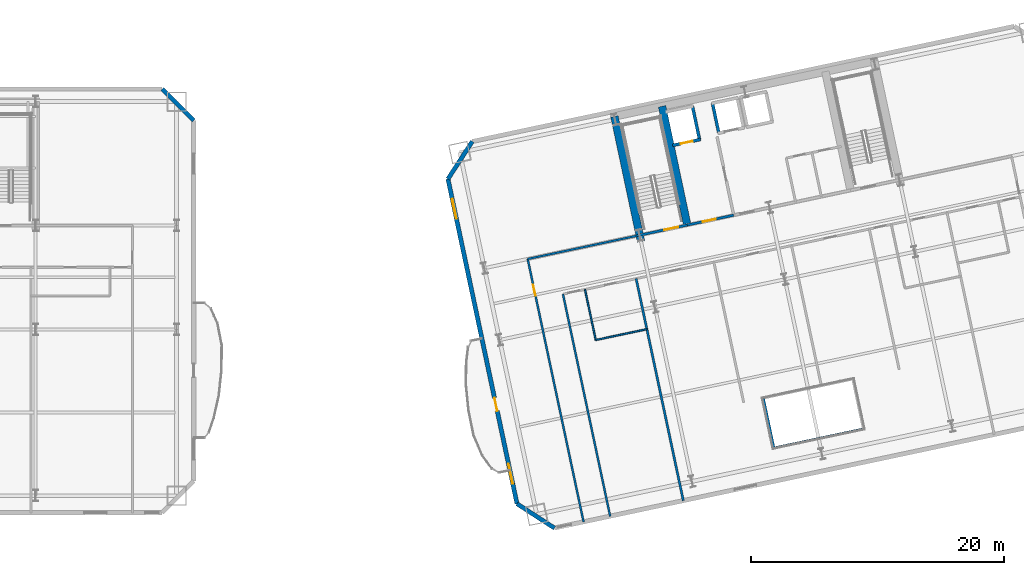
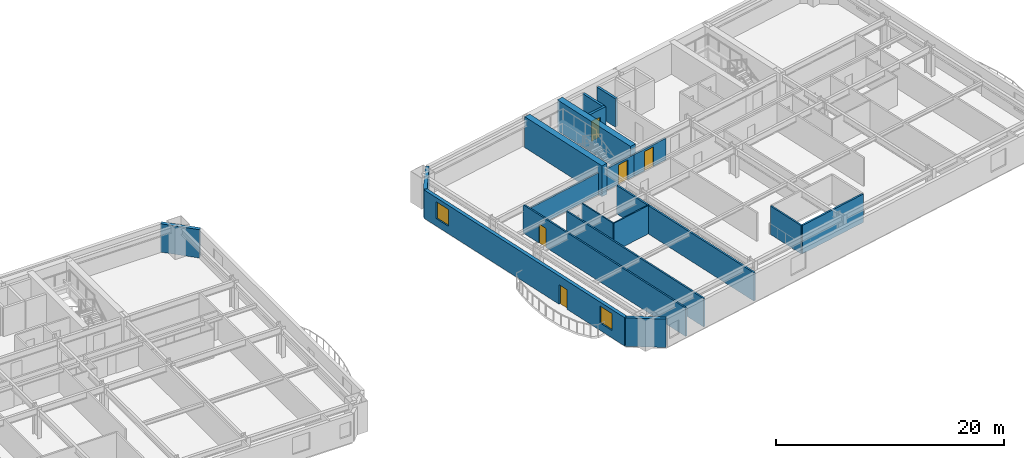
# One storey, part 7 of 16: 19 walls, 5 doors, 2 windows, 7 openings.
"""IFC4 building model written with IfcOpenShell, lengths in metres."""

from ifc_helpers import new_model, si_unit, direction, frame, frame_2d, origin, place, context, subcontext, project, spatial, rectangle, extrude, material, layer, layer_set, type_object, element, fill, save


model = new_model("IFC4")

# Units and contexts
model_context = context("Model", 3, precision=1e-05, world=origin(), true_north=direction((0.0, 1.0)))
body_context = subcontext(model_context, "Body", "Model", "MODEL_VIEW")
ifc_project = project(units=[si_unit("LENGTHUNIT", "METRE"), si_unit("AREAUNIT", "SQUARE_METRE"), si_unit("VOLUMEUNIT", "CUBIC_METRE"), si_unit("PLANEANGLEUNIT", "RADIAN"), si_unit("MASSUNIT", "GRAM", prefix="KILO")], contexts=[model_context])

# Site, building, storey
site_placement = place(None, origin())
site = spatial("IfcSite", under=ifc_project, at=site_placement, CompositionType="ELEMENT")
building_placement = place(site_placement, origin())
building = spatial("IfcBuilding", under=site, at=building_placement, Name="Haevon Station Towers", CompositionType="ELEMENT")
storey_placement = place(building_placement, frame((0.0, 0.0, 53.699951171875)))
storey = spatial("IfcBuildingStorey", under=building, at=storey_placement, Name="L13", CompositionType="ELEMENT", Elevation=53.699951171875)

# Walls
ifc_material_1 = material(Name="Gypsum board on steel stud", Category="steel")
ifc_layer_1 = layer(ifc_material_1, 0.179931640625)
ifc_layer_set_1 = layer_set([ifc_layer_1], Name="Gypsum board on steel stud")
wall_type_1 = type_object("IfcWallType", Name="WL-ACU180", PredefinedType="PARTITIONING", material=ifc_layer_set_1)
wall_1_placement = place(storey_placement, frame((109.379150390625, 20.634521484375, 0.0), z_axis=(0.0, 0.0, 1.0), x_axis=(0.978144974276, 0.207924046946, 0.0)))
element("IfcWall", 1, at=wall_1_placement, inside=storey, type_object=wall_type_1, Name="WL-T2PT-L13-06", PredefinedType="PARTITIONING", context=body_context, shape_type="SweptSolid", body=[
    extrude(rectangle(XDim=7.2001953125, YDim=0.179931640625, at=frame_2d((3.60009765625, 0.0))), origin(), (0.0, 0.0, 1.0), 3.030029296875),
])
wall_2_placement = place(storey_placement, frame((102.2041015625, 16.451416015625, 0.0), z_axis=(0.0, 0.0, 1.0), x_axis=(-0.207908857961, 0.978148202872, 0.0)))
element("IfcWall", 2, at=wall_2_placement, inside=storey, type_object=wall_type_1, Name="WL-T2PT-L13-12", PredefinedType="PARTITIONING", context=body_context, shape_type="SweptSolid", body=[
    extrude(rectangle(XDim=17.949951171875, YDim=0.179931640625, at=frame_2d((8.97509765625, 0.0))), origin(), (0.0, 0.0, 1.0), 3.030029296875),
])

# Wall, opening, door
ifc_layer_2 = layer(ifc_material_1, 0.199951171875)
ifc_layer_set_2 = layer_set([ifc_layer_2], Name="Gypsum board on steel stud")
wall_type_2 = type_object("IfcWallType", Name="WL-COR200", PredefinedType="PARTITIONING", material=ifc_layer_set_2)
wall_3_placement = place(storey_placement, frame((98.75244140625, 37.4423828125, 0.0), z_axis=(0.0, 0.0, 1.0), x_axis=(0.978143537786, 0.207930804564, 0.0)))
wall_3 = element("IfcWall", 3, at=wall_3_placement, inside=storey, type_object=wall_type_2, Name="WL-ST-ST3-L13", PredefinedType="PARTITIONING", context=body_context, shape_type="SweptSolid", body=[
    extrude(rectangle(XDim=3.85009765625, YDim=0.199951171875, at=frame_2d((1.925048828125, 0.0))), origin(), (0.0, 0.0, 1.0), 2.330078125),
])
opening_1_placement = place(wall_3_placement, frame((2.0, 0.0, 0.0)))
opening_1 = element("IfcOpeningElement", 4, at=opening_1_placement, cuts=wall_3, Name="Opening DR-ST-ST3-L13", PredefinedType="OPENING", context=body_context, shape_type="SweptSolid", body=[
    extrude(rectangle(XDim=1.1201171875, YDim=2.10009765625, at=frame_2d((0.56005859375, 1.050048828125))), frame((0.0, 0.10986328125, 0.0), z_axis=(0.0, -1.0, 0.0), x_axis=(1.0, 0.0, 0.0)), (0.0, 0.0, 1.0), 0.219970703125),
])
ifc_material_2 = material(Name="Engineered oak timber", Category="wood")
door_type_1 = type_object("IfcDoorType", Name="DR-ST-1120", OperationType="NOTDEFINED", PredefinedType="DOOR", material=ifc_material_2)
door_1_placement = place(opening_1_placement, origin())
door_1 = element("IfcDoor", 5, at=door_1_placement, inside=storey, type_object=door_type_1, Name="L13 Escape Stair ST3 Fire Door", OperationType="SINGLE_SWING_RIGHT", OverallHeight=2.10009765625, OverallWidth=1.1201171875, PredefinedType="DOOR", context=body_context, shape_type="SweptSolid", body=[
    extrude(rectangle(XDim=1.1201171875, YDim=2.10009765625, at=frame_2d((0.56005859375, 1.050048828125))), frame((0.0, 0.02490234375, 0.0), z_axis=(0.0, -1.0, 0.0), x_axis=(1.0, 0.0, 0.0)), (0.0, 0.0, 1.0), 0.050048828125),
])
fill(opening_1, door_1)

wall_4_placement = place(storey_placement, frame((102.518310546875, 38.242919921875, 0.0), z_axis=(0.0, 0.0, 1.0), x_axis=(0.978153555683, 0.20788367301, 0.0)))
wall_4 = element("IfcWall", 6, at=wall_4_placement, inside=storey, type_object=wall_type_2, Name="WL-T2FFL-L13-S", PredefinedType="PARTITIONING", context=body_context, shape_type="SweptSolid", body=[
    extrude(rectangle(XDim=3.75, YDim=0.199951171875, at=frame_2d((1.875, 0.0))), origin(), (0.0, 0.0, 1.0), 2.330078125),
])
opening_2_placement = place(wall_4_placement, frame((1.25, 0.0, 0.0)))
opening_2 = element("IfcOpeningElement", 7, at=opening_2_placement, cuts=wall_4, Name="Opening DR-T2FFL-L13-S", PredefinedType="OPENING", context=body_context, shape_type="SweptSolid", body=[
    extrude(rectangle(XDim=1.050048828125, YDim=2.10009765625, at=frame_2d((0.52490234375, 1.050048828125))), frame((0.0, 0.10986328125, 0.0), z_axis=(0.0, -1.0, 0.0), x_axis=(1.0, 0.0, 0.0)), (0.0, 0.0, 1.0), 0.219970703125),
])
door_type_2 = type_object("IfcDoorType", Name="DR-FD60-1050", OperationType="NOTDEFINED", PredefinedType="DOOR", material=ifc_material_2)
door_2_placement = place(opening_2_placement, origin())
door_2 = element("IfcDoor", 8, at=door_2_placement, inside=storey, type_object=door_type_2, Name="L13 Tower 2 Firefighting Lift Lobby Door S", OperationType="SINGLE_SWING_LEFT", OverallHeight=2.10009765625, OverallWidth=1.050048828125, PredefinedType="DOOR", context=body_context, shape_type="SweptSolid", body=[
    extrude(rectangle(XDim=1.050048828125, YDim=2.10009765625, at=frame_2d((0.52490234375, 1.050048828125))), frame((0.0, 0.02490234375, 0.0), z_axis=(0.0, -1.0, 0.0), x_axis=(1.0, 0.0, 0.0)), (0.0, 0.0, 1.0), 0.050048828125),
])
fill(opening_2, door_2)

# Walls
ifc_material_3 = material(Name="Concrete C60/75", Category="concrete")
ifc_layer_3 = layer(ifc_material_3, 0.60009765625)
ifc_layer_set_3 = layer_set([ifc_layer_3], Name="Concrete C60/75")
wall_type_3 = type_object("IfcWallType", Name="WL-CR600", PredefinedType="SHEAR", material=ifc_layer_set_3)
wall_5_placement = place(storey_placement, frame((98.8603515625, 36.933837890625, 0.0), z_axis=(0.0, 0.0, 1.0), x_axis=(-0.20790924889, 0.978148119778, 0.0)))
element("IfcWall", 9, at=wall_5_placement, inside=storey, type_object=wall_type_3, Name="WL-T2CR-L13-W", PredefinedType="SHEAR", context=body_context, shape_type="SweptSolid", body=[
    extrude(rectangle(XDim=10.119873046875, YDim=0.60009765625, at=frame_2d((5.06005859375, 0.0))), origin(), (0.0, 0.0, 1.0), 3.300048828125),
])
wall_6_placement = place(storey_placement, frame((102.518310546875, 38.242919921875, 0.0), z_axis=(0.0, 0.0, 1.0), x_axis=(-0.207927495108, 0.978144241295, 0.0)))
element("IfcWall", 10, at=wall_6_placement, inside=storey, type_object=wall_type_3, Name="WL-T2CR-L13-M1", PredefinedType="SHEAR", context=body_context, shape_type="SweptSolid", body=[
    extrude(rectangle(XDim=9.599853515625, YDim=0.60009765625, at=frame_2d((4.7998046875, 0.0))), origin(), (0.0, 0.0, 1.0), 3.300048828125),
])
ifc_material_4 = material(Name="Precast concrete C45/55", Category="concrete")
ifc_layer_4 = layer(ifc_material_4, 0.340087890625)
ifc_layer_set_4 = layer_set([ifc_layer_4], Name="Precast concrete C45/55")
wall_type_4 = type_object("IfcWallType", Name="WL-EXT-PIER340", PredefinedType="SOLIDWALL", material=ifc_layer_set_4)
wall_7_placement = place(storey_placement, frame((61.0, 49.0, 0.0), z_axis=(0.0, 0.0, 1.0), x_axis=(0.707106781187, -0.707106781187, 0.0)))
element("IfcWall", 11, at=wall_7_placement, inside=storey, type_object=wall_type_4, Name="WL-T1-L13-NEC", PredefinedType="SOLIDWALL", context=body_context, shape_type="SweptSolid", body=[
    extrude(rectangle(XDim=3.53564453125, YDim=0.340087890625, at=frame_2d((1.767822265625, 0.0))), origin(), (0.0, 0.0, 1.0), 3.030029296875),
])
wall_8_placement = place(storey_placement, frame((92.01953125, 14.28662109375, 0.0), z_axis=(0.0, 0.0, 1.0), x_axis=(-0.838672309694, 0.544636352948, 0.0)))
element("IfcWall", 12, at=wall_8_placement, inside=storey, type_object=wall_type_4, Name="WL-T2-L13-SWC", PredefinedType="SOLIDWALL", context=body_context, shape_type="SweptSolid", body=[
    extrude(rectangle(XDim=3.535400390625, YDim=0.340087890625, at=frame_2d((1.767578125, 0.0))), origin(), (0.0, 0.0, 1.0), 3.030029296875),
])

# Wall, openings, door, windows
wall_9_placement = place(storey_placement, frame((89.054443359375, 16.212158203125, 0.0), z_axis=(0.0, 0.0, 1.0), x_axis=(-0.207915485254, 0.978146794194, 0.0)))
wall_9 = element("IfcWall", 13, at=wall_9_placement, inside=storey, type_object=wall_type_4, Name="WL-T2-L13-W", PredefinedType="SOLIDWALL", context=body_context, shape_type="SweptSolid", body=[
    extrude(rectangle(XDim=26.25, YDim=0.340087890625, at=frame_2d((13.125, 0.0))), origin(), (0.0, 0.0, 1.0), 3.030029296875),
])
opening_3_placement = place(wall_9_placement, frame((7.5, 0.0, 0.0)))
opening_3 = element("IfcOpeningElement", 14, at=opening_3_placement, cuts=wall_9, Name="Opening DR-T2-SCAL-L13-W", PredefinedType="OPENING", context=body_context, shape_type="SweptSolid", body=[
    extrude(rectangle(XDim=1.050048828125, YDim=2.10009765625, at=frame_2d((0.52490234375, 1.050048828125))), frame((0.0, 0.179931640625, 0.0), z_axis=(0.0, -1.0, 0.0), x_axis=(1.0, 0.0, 0.0)), (0.0, 0.0, 1.0), 0.360107421875),
])
opening_4_placement = place(wall_9_placement, frame((1.623291015625, 0.0, 0.800048828125)))
opening_4 = element("IfcOpeningElement", 15, at=opening_4_placement, cuts=wall_9, Name="Opening WN-END160", PredefinedType="OPENING", context=body_context, shape_type="SweptSolid", body=[
    extrude(rectangle(XDim=1.60009765625, YDim=1.800048828125, at=frame_2d((0.800048828125, 0.89990234375))), frame((0.0, 0.179931640625, 0.0), z_axis=(0.0, -1.0, 0.0), x_axis=(1.0, 0.0, 0.0)), (0.0, 0.0, 1.0), 0.360107421875),
])
opening_5_placement = place(wall_9_placement, frame((23.02685546875, 0.0, 0.800048828125)))
opening_5 = element("IfcOpeningElement", 16, at=opening_5_placement, cuts=wall_9, Name="Opening WN-END160", PredefinedType="OPENING", context=body_context, shape_type="SweptSolid", body=[
    extrude(rectangle(XDim=1.60009765625, YDim=1.800048828125, at=frame_2d((0.800048828125, 0.89990234375))), frame((0.0, 0.179931640625, 0.0), z_axis=(0.0, -1.0, 0.0), x_axis=(1.0, 0.0, 0.0)), (0.0, 0.0, 1.0), 0.360107421875),
])
ifc_material_5 = material(Name="Thermally broken anodised aluminium and laminated safety glass", Category="aluminium")
door_type_3 = type_object("IfcDoorType", Name="DR-BALC-1050", OperationType="NOTDEFINED", PredefinedType="DOOR", material=ifc_material_5)
door_3_placement = place(opening_3_placement, origin())
door_3 = element("IfcDoor", 17, at=door_3_placement, inside=storey, type_object=door_type_3, Name="Tower 2 L13 West Scalloped Balcony Door", OperationType="SINGLE_SWING_RIGHT", OverallHeight=2.10009765625, OverallWidth=1.050048828125, PredefinedType="DOOR", context=body_context, shape_type="SweptSolid", body=[
    extrude(rectangle(XDim=1.050048828125, YDim=2.10009765625, at=frame_2d((0.52490234375, 1.050048828125))), frame((0.0, 0.02490234375, 0.0), z_axis=(0.0, -1.0, 0.0), x_axis=(1.0, 0.0, 0.0)), (0.0, 0.0, 1.0), 0.050048828125),
])
fill(opening_3, door_3)
ifc_material_6 = material(Name="Low-E triple glazing in thermally broken aluminium", Category="aluminium")
window_type = type_object("IfcWindowType", Name="WN-END160", PartitioningType="SINGLE_PANEL", PredefinedType="WINDOW", material=ifc_material_6)
window_1_placement = place(opening_4_placement, origin())
window_1 = element("IfcWindow", 18, at=window_1_placement, inside=storey, type_object=window_type, Name="WN-T2-L13-W01", OverallHeight=1.800048828125, OverallWidth=1.60009765625, PartitioningType="SINGLE_PANEL", PredefinedType="WINDOW", context=body_context, shape_type="SweptSolid", body=[
    extrude(rectangle(XDim=1.60009765625, YDim=1.800048828125, at=frame_2d((0.800048828125, 0.89990234375))), frame((0.0, 0.030029296875, 0.0), z_axis=(0.0, -1.0, 0.0), x_axis=(1.0, 0.0, 0.0)), (0.0, 0.0, 1.0), 0.06005859375),
])
fill(opening_4, window_1)
window_2_placement = place(opening_5_placement, origin())
window_2 = element("IfcWindow", 19, at=window_2_placement, inside=storey, type_object=window_type, Name="WN-T2-L13-W02", OverallHeight=1.800048828125, OverallWidth=1.60009765625, PartitioningType="SINGLE_PANEL", PredefinedType="WINDOW", context=body_context, shape_type="SweptSolid", body=[
    extrude(rectangle(XDim=1.60009765625, YDim=1.800048828125, at=frame_2d((0.800048828125, 0.89990234375))), frame((0.0, 0.030029296875, 0.0), z_axis=(0.0, -1.0, 0.0), x_axis=(1.0, 0.0, 0.0)), (0.0, 0.0, 1.0), 0.06005859375),
])
fill(opening_5, window_2)

# Walls
wall_10_placement = place(storey_placement, frame((83.5966796875, 41.888427734375, 0.0), z_axis=(0.0, 0.0, 1.0), x_axis=(0.544653380146, 0.838661251934, 0.0)))
element("IfcWall", 20, at=wall_10_placement, inside=storey, type_object=wall_type_4, Name="WL-T2-L13-NWC", PredefinedType="SOLIDWALL", context=body_context, shape_type="SweptSolid", body=[
    extrude(rectangle(XDim=3.535888671875, YDim=0.340087890625, at=frame_2d((1.76806640625, 0.0))), origin(), (0.0, 0.0, 1.0), 3.030029296875),
])
ifc_layer_5 = layer(ifc_material_1, 0.125)
ifc_layer_set_5 = layer_set([ifc_layer_5], Name="Gypsum board on steel stud")
wall_type_5 = type_object("IfcWallType", Name="WL-PRT125", PredefinedType="PARTITIONING", material=ifc_layer_set_5)
wall_11_placement = place(storey_placement, frame((95.27978515625, 29.15380859375, 0.0), z_axis=(0.0, 0.0, 1.0), x_axis=(0.978146085238, 0.207918820535, 0.0)))
element("IfcWall", 21, at=wall_11_placement, inside=storey, type_object=wall_type_5, Name="WL-T2PT-L13-10", PredefinedType="PARTITIONING", context=body_context, shape_type="SweptSolid", body=[
    extrude(rectangle(XDim=4.132080078125, YDim=0.125, at=frame_2d((2.06591796875, 0.0))), origin(), (0.0, 0.0, 1.0), 3.030029296875),
])
wall_12_placement = place(storey_placement, frame((95.27978515625, 29.15380859375, 0.0), z_axis=(0.0, 0.0, 1.0), x_axis=(-0.207904497916, 0.978149129605, 0.0)))
element("IfcWall", 22, at=wall_12_placement, inside=storey, type_object=wall_type_5, Name="WL-T2PT-L13-11", PredefinedType="PARTITIONING", context=body_context, shape_type="SweptSolid", body=[
    extrude(rectangle(XDim=4.08544921875, YDim=0.125, at=frame_2d((2.042724609375, 0.0))), origin(), (0.0, 0.0, 1.0), 3.030029296875),
])
ifc_layer_6 = layer(ifc_material_1, 0.159912109375)
ifc_layer_set_6 = layer_set([ifc_layer_6], Name="Gypsum board on steel stud")
wall_type_6 = type_object("IfcWallType", Name="WL-PRT160", PredefinedType="PARTITIONING", material=ifc_layer_set_6)
wall_13_placement = place(storey_placement, frame((96.421142578125, 15.22216796875, 0.0), z_axis=(0.0, 0.0, 1.0), x_axis=(-0.207906091967, 0.978148790789, 0.0)))
element("IfcWall", 23, at=wall_13_placement, inside=storey, type_object=wall_type_6, Name="WL-T2PT-L13-01", PredefinedType="PARTITIONING", context=body_context, shape_type="SweptSolid", body=[
    extrude(rectangle(XDim=17.9501953125, YDim=0.159912109375, at=frame_2d((8.97509765625, 0.0))), origin(), (0.0, 0.0, 1.0), 3.030029296875),
])
wall_14_placement = place(storey_placement, frame((89.900146484375, 35.560791015625, 0.0), z_axis=(0.0, 0.0, 1.0), x_axis=(0.978148085545, 0.207909409948, 0.0)))
element("IfcWall", 24, at=wall_14_placement, inside=storey, type_object=wall_type_6, Name="WL-T2PT-L13-02", PredefinedType="PARTITIONING", context=body_context, shape_type="SweptSolid", body=[
    extrude(rectangle(XDim=9.050048828125, YDim=0.159912109375, at=frame_2d((4.52490234375, 0.0))), origin(), (0.0, 0.0, 1.0), 2.330078125),
])

# Wall, opening, door
wall_15_placement = place(storey_placement, frame((94.318359375, 14.775146484375, 0.0), z_axis=(0.0, 0.0, 1.0), x_axis=(-0.207915642033, 0.978146760869, 0.0)))
wall_15 = element("IfcWall", 25, at=wall_15_placement, inside=storey, type_object=wall_type_6, Name="WL-T2PT-L13-04", PredefinedType="PARTITIONING", context=body_context, shape_type="SweptSolid", body=[
    extrude(rectangle(XDim=21.25, YDim=0.159912109375, at=frame_2d((10.625, 0.0))), origin(), (0.0, 0.0, 1.0), 3.030029296875),
])
opening_6_placement = place(wall_15_placement, frame((18.27001953125, 0.0, 0.0)))
opening_6 = element("IfcOpeningElement", 26, at=opening_6_placement, cuts=wall_15, Name="Opening DR-WL-T2PT-L13-04-01", PredefinedType="OPENING", context=body_context, shape_type="SweptSolid", body=[
    extrude(rectangle(XDim=0.89990234375, YDim=2.050048828125, at=frame_2d((0.449951171875, 1.02490234375))), frame((0.0, 0.08984375, 0.0), z_axis=(0.0, -1.0, 0.0), x_axis=(1.0, 0.0, 0.0)), (0.0, 0.0, 1.0), 0.179931640625),
])
door_type_4 = type_object("IfcDoorType", Name="DR-INT-900", OperationType="NOTDEFINED", PredefinedType="DOOR", material=ifc_material_2)
door_4_placement = place(opening_6_placement, origin())
door_4 = element("IfcDoor", 27, at=door_4_placement, inside=storey, type_object=door_type_4, Name="L13 Tower 2 Room Door 4-1", OperationType="SINGLE_SWING_LEFT", OverallHeight=2.050048828125, OverallWidth=0.89990234375, PredefinedType="DOOR", context=body_context, shape_type="SweptSolid", body=[
    extrude(rectangle(XDim=0.89990234375, YDim=2.050048828125, at=frame_2d((0.449951171875, 1.02490234375))), frame((0.0, 0.02490234375, 0.0), z_axis=(0.0, -1.0, 0.0), x_axis=(1.0, 0.0, 0.0)), (0.0, 0.0, 1.0), 0.050048828125),
])
fill(opening_6, door_4)

# Wall
wall_16_placement = place(storey_placement, frame((109.379150390625, 20.634521484375, 0.0), z_axis=(0.0, 0.0, 1.0), x_axis=(-0.207944891454, 0.978140543132, 0.0)))
element("IfcWall", 28, at=wall_16_placement, inside=storey, type_object=wall_type_6, Name="WL-T2PT-L13-08", PredefinedType="PARTITIONING", context=body_context, shape_type="SweptSolid", body=[
    extrude(rectangle(XDim=4.0, YDim=0.159912109375, at=frame_2d((2.0, 0.0))), origin(), (0.0, 0.0, 1.0), 3.030029296875),
])

# Wall, opening, door
ifc_material_7 = material(Name="Concrete C40/50", Category="concrete")
ifc_layer_7 = layer(ifc_material_7, 0.239990234375)
ifc_layer_set_7 = layer_set([ifc_layer_7], Name="Concrete C40/50")
wall_type_7 = type_object("IfcWallType", Name="WL-SHF240", PredefinedType="PARTITIONING", material=ifc_layer_set_7)
wall_17_placement = place(storey_placement, frame((101.353759765625, 44.538330078125, 0.0), z_axis=(0.0, 0.0, 1.0), x_axis=(0.978141002414, 0.207942731049, 0.0)))
wall_17 = element("IfcWall", 29, at=wall_17_placement, inside=storey, type_object=wall_type_7, Name="WL-SHF-FL2-L13", PredefinedType="PARTITIONING", context=body_context, shape_type="SweptSolid", body=[
    extrude(rectangle(XDim=2.260009765625, YDim=0.239990234375, at=frame_2d((1.1298828125, 0.0))), origin(), (0.0, 0.0, 1.0), 3.030029296875),
])
opening_7_placement = place(wall_17_placement, frame((0.655029296875, 0.0, 0.0)))
opening_7 = element("IfcOpeningElement", 30, at=opening_7_placement, cuts=wall_17, Name="Opening LD-FL2-L13", PredefinedType="OPENING", context=body_context, shape_type="SweptSolid", body=[
    extrude(rectangle(XDim=0.949951171875, YDim=2.14990234375, at=frame_2d((0.47509765625, 1.074951171875))), frame((0.0, 0.1298828125, 0.0), z_axis=(0.0, -1.0, 0.0), x_axis=(1.0, 0.0, 0.0)), (0.0, 0.0, 1.0), 0.260009765625),
])
ifc_material_8 = material(Name="Stainless steel and rated core", Category="steel")
door_type_5 = type_object("IfcDoorType", Name="LD-FL950", OperationType="SLIDING_TO_LEFT", PredefinedType="DOOR", material=ifc_material_8)
door_5_placement = place(opening_7_placement, origin())
door_5 = element("IfcDoor", 31, at=door_5_placement, inside=storey, type_object=door_type_5, Name="L13 Lift FL2 Sliding Landing Door", OperationType="SLIDING_TO_LEFT", OverallHeight=2.14990234375, OverallWidth=0.949951171875, PredefinedType="DOOR", context=body_context, shape_type="SweptSolid", body=[
    extrude(rectangle(XDim=0.949951171875, YDim=2.14990234375, at=frame_2d((0.47509765625, 1.074951171875))), frame((0.0, 0.02490234375, 0.0), z_axis=(0.0, -1.0, 0.0), x_axis=(1.0, 0.0, 0.0)), (0.0, 0.0, 1.0), 0.050048828125),
])
fill(opening_7, door_5)

# Walls
wall_18_placement = place(storey_placement, frame((103.486328125, 44.99169921875, 0.0), z_axis=(0.0, 0.0, 1.0), x_axis=(-0.207978798957, 0.978133334052, 0.0)))
element("IfcWall", 32, at=wall_18_placement, inside=storey, type_object=wall_type_7, Name="WL-SHF-FL2-L13-E", PredefinedType="PARTITIONING", context=body_context, shape_type="SweptSolid", body=[
    extrude(rectangle(XDim=2.699951171875, YDim=0.239990234375, at=frame_2d((1.35009765625, 0.0))), origin(), (0.0, 0.0, 1.0), 3.030029296875),
])
wall_19_placement = place(storey_placement, frame((105.009765625, 45.519775390625, 0.0), z_axis=(0.0, 0.0, 1.0), x_axis=(-0.207917150959, 0.978146440129, 0.0)))
element("IfcWall", 33, at=wall_19_placement, inside=storey, type_object=wall_type_7, Name="WL-SHF-PL7-L13-W", PredefinedType="PARTITIONING", context=body_context, shape_type="SweptSolid", body=[
    extrude(rectangle(XDim=2.400146484375, YDim=0.239990234375, at=frame_2d((1.2001953125, 0.0))), origin(), (0.0, 0.0, 1.0), 3.030029296875),
])

save(model, "model.ifc")
